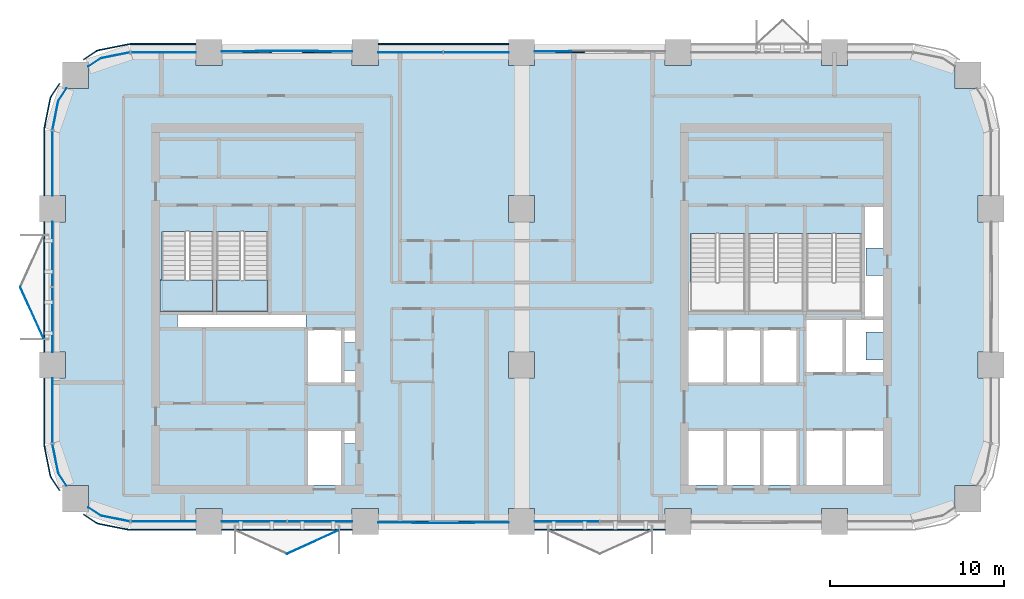
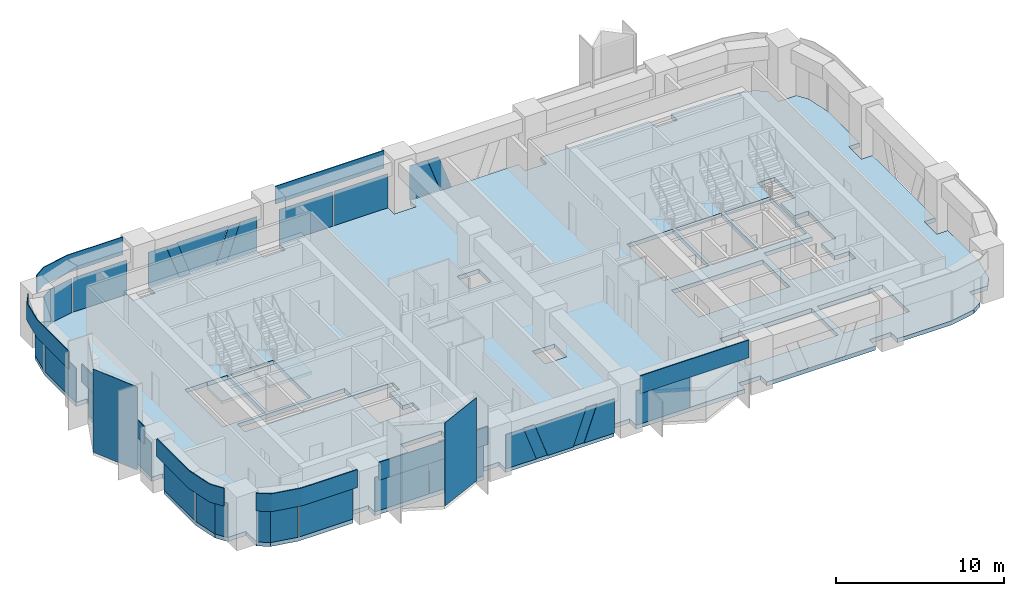
# One storey, part 6 of 14: 37 plates, 3 slabs, 13 elements without a shape of their own.
"""IFC4 building model written with IfcOpenShell, lengths in metres."""

from ifc_helpers import new_model, si_unit, direction, frame, origin, origin_2d, place, context, subcontext, project, spatial, polyline, rectangle, outline, extrude, material, layer, layer_set, type_object, element, aggregate, save


model = new_model("IFC4")

# Units and contexts
model_context = context("Model", 3, precision=1e-05, world=origin(), true_north=direction((0.0, 1.0)))
body_context = subcontext(model_context, "Body", "Model", "MODEL_VIEW")
ifc_project = project(units=[si_unit("LENGTHUNIT", "METRE"), si_unit("AREAUNIT", "SQUARE_METRE"), si_unit("VOLUMEUNIT", "CUBIC_METRE"), si_unit("PLANEANGLEUNIT", "RADIAN"), si_unit("MASSUNIT", "GRAM", prefix="KILO")], contexts=[model_context])

# Site, building, storey
site_placement = place(None, origin())
site = spatial("IfcSite", under=ifc_project, at=site_placement, CompositionType="ELEMENT")
building_placement = place(site_placement, origin())
building = spatial("IfcBuilding", under=site, at=building_placement, Name="Tessera Arch", CompositionType="ELEMENT")
storey_placement = place(building_placement, frame((0.0, 0.0, 142.699951171875)))
storey = spatial("IfcBuildingStorey", under=building, at=storey_placement, Name="L33", CompositionType="ELEMENT", Elevation=142.699951171875)

# Curtain wall, plates
ifc_material_1 = material(Name="CW1 curtain wall")
curtain_wall_type_1 = type_object("IfcCurtainWallType", Name="CW1 curtain wall", PredefinedType="NOTDEFINED", material=ifc_material_1)
curtain_wall_1_placement = place(storey_placement, origin())
curtain_wall_1 = element("IfcCurtainWall", 1, at=curtain_wall_1_placement, inside=storey, type_object=curtain_wall_type_1, Name="CW1 curtain wall N54.0/3 L33", PredefinedType="NOTDEFINED")
ifc_material_2 = material(Name="Clear low-e glass", Category="glass")
ifc_material_3 = material(Name="Clear low-e glass", Category="glass")
ifc_layer_1 = layer(ifc_material_3, 0.028076171875)
ifc_layer_set_1 = layer_set([ifc_layer_1], Name="CW1 glass panel")
plate_type_1 = type_object("IfcPlateType", Name="CW1 glass panel", PredefinedType="CURTAIN_PANEL", material=ifc_layer_set_1)
plate_1_placement = place(storey_placement, frame((24.389892578125, 54.0, 0.0), z_axis=(0.0, 0.0, 1.0), x_axis=(-1.0, 0.0, 0.0)))
plate_1 = element("IfcPlate", 2, at=plate_1_placement, type_object=plate_type_1, material=ifc_material_2, Name="CW1 glass panel N54.0/3 1.1.1", PredefinedType="CURTAIN_PANEL", context=body_context, shape_type="SweptSolid", body=[
    extrude(rectangle(XDim=3.719970703125, YDim=0.028076171875, at=origin_2d()), origin(), (0.0, 0.0, 1.0), 2.5),
])
plate_2_placement = place(storey_placement, frame((20.610107421875, 54.0, 0.0), z_axis=(0.0, 0.0, 1.0), x_axis=(-1.0, 0.0, 0.0)))
plate_2 = element("IfcPlate", 3, at=plate_2_placement, type_object=plate_type_1, material=ifc_material_2, Name="CW1 glass panel N54.0/3 1.2.1", PredefinedType="CURTAIN_PANEL", context=body_context, shape_type="SweptSolid", body=[
    extrude(rectangle(XDim=3.719970703125, YDim=0.028076171875, at=origin_2d()), origin(), (0.0, 0.0, 1.0), 2.5),
])

curtain_wall_2_placement = place(storey_placement, origin())
curtain_wall_2 = element("IfcCurtainWall", 4, at=curtain_wall_2_placement, inside=storey, type_object=curtain_wall_type_1, Name="CW1 curtain wall W0.27/1 L33", PredefinedType="NOTDEFINED")
plate_3_placement = place(storey_placement, frame((0.0, 42.389892578125, 0.0), z_axis=(0.0, 0.0, 1.0), x_axis=(0.0, -1.0, 0.0)))
plate_3 = element("IfcPlate", 5, at=plate_3_placement, type_object=plate_type_1, material=ifc_material_2, Name="CW1 glass panel W0.27/1 1.1.1", PredefinedType="CURTAIN_PANEL", context=body_context, shape_type="SweptSolid", body=[
    extrude(rectangle(XDim=3.719970703125, YDim=0.028076171875, at=origin_2d()), origin(), (0.0, 0.0, 1.0), 2.5),
])
plate_4_placement = place(storey_placement, frame((0.0, 38.610107421875, 0.0), z_axis=(0.0, 0.0, 1.0), x_axis=(0.0, -1.0, 0.0)))
plate_4 = element("IfcPlate", 6, at=plate_4_placement, type_object=plate_type_1, material=ifc_material_2, Name="CW1 glass panel W0.27/1 1.2.1", PredefinedType="CURTAIN_PANEL", context=body_context, shape_type="SweptSolid", body=[
    extrude(rectangle(XDim=3.719970703125, YDim=0.028076171875, at=origin_2d()), origin(), (0.0, 0.0, 1.0), 2.5),
])

curtain_wall_3_placement = place(storey_placement, origin())
curtain_wall_3 = element("IfcCurtainWall", 7, at=curtain_wall_3_placement, inside=storey, type_object=curtain_wall_type_1, Name="CW1 curtain wall S27.0/1 L33", PredefinedType="NOTDEFINED")
plate_5_placement = place(storey_placement, frame((11.610107421875, 27.0, 0.0), z_axis=(0.0, 0.0, 1.0), x_axis=(1.0, 0.0, 0.0)))
plate_5 = element("IfcPlate", 8, at=plate_5_placement, type_object=plate_type_1, material=ifc_material_2, Name="CW1 glass panel S27.0/1 1.1.1", PredefinedType="CURTAIN_PANEL", context=body_context, shape_type="SweptSolid", body=[
    extrude(rectangle(XDim=3.719970703125, YDim=0.028076171875, at=origin_2d()), origin(), (0.0, 0.0, 1.0), 2.5),
])
plate_6_placement = place(storey_placement, frame((15.389892578125, 27.0, 0.0), z_axis=(0.0, 0.0, 1.0), x_axis=(1.0, 0.0, 0.0)))
plate_6 = element("IfcPlate", 9, at=plate_6_placement, type_object=plate_type_1, material=ifc_material_2, Name="CW1 glass panel S27.0/1 1.2.1", PredefinedType="CURTAIN_PANEL", context=body_context, shape_type="SweptSolid", body=[
    extrude(rectangle(XDim=3.719970703125, YDim=0.028076171875, at=origin_2d()), origin(), (0.0, 0.0, 1.0), 2.5),
])

# Curtain wall, plate
curtain_wall_4_placement = place(storey_placement, origin())
curtain_wall_4 = element("IfcCurtainWall", 10, at=curtain_wall_4_placement, inside=storey, type_object=curtain_wall_type_1, Name="CW1 curtain wall S27.0/3 L33", PredefinedType="NOTDEFINED")
plate_7_placement = place(storey_placement, frame((29.610107421875, 27.0, 0.0), z_axis=(0.0, 0.0, 1.0), x_axis=(1.0, 0.0, 0.0)))
plate_7 = element("IfcPlate", 11, at=plate_7_placement, type_object=plate_type_1, material=ifc_material_2, Name="CW1 glass panel S27.0/3 1.1.1", PredefinedType="CURTAIN_PANEL", context=body_context, shape_type="SweptSolid", body=[
    extrude(rectangle(XDim=3.719970703125, YDim=0.028076171875, at=origin_2d()), origin(), (0.0, 0.0, 1.0), 2.5),
])

# Plate
ifc_material_4 = material(Name="Pale anodised aluminium panel", Category="aluminium")
ifc_layer_2 = layer(ifc_material_4, 0.06005859375)
ifc_layer_set_2 = layer_set([ifc_layer_2], Name="CW1 spandrel panel")
plate_type_2 = type_object("IfcPlateType", Name="CW1 spandrel panel", PredefinedType="CURTAIN_PANEL", material=ifc_layer_set_2)
plate_8_placement = place(storey_placement, frame((22.5, 54.47998046875, 2.60009765625), z_axis=(0.0, 0.0, 1.0), x_axis=(-1.0, 0.0, 0.0)))
plate_8 = element("IfcPlate", 12, at=plate_8_placement, type_object=plate_type_2, Name="CW1 spandrel panel N54.0/3", PredefinedType="CURTAIN_PANEL", context=body_context, shape_type="SweptSolid", body=[
    extrude(rectangle(XDim=7.5, YDim=0.06005859375, at=origin_2d()), origin(), (0.0, 0.0, 1.0), 1.300048828125),
])

aggregate(curtain_wall_1, [plate_1, plate_2, plate_8])

plate_9_placement = place(storey_placement, frame((-0.47998046875, 40.5, 2.60009765625), z_axis=(0.0, 0.0, 1.0), x_axis=(0.0, -1.0, 0.0)))
plate_9 = element("IfcPlate", 13, at=plate_9_placement, type_object=plate_type_2, Name="CW1 spandrel panel W0.27/1", PredefinedType="CURTAIN_PANEL", context=body_context, shape_type="SweptSolid", body=[
    extrude(rectangle(XDim=7.5, YDim=0.06005859375, at=origin_2d()), origin(), (0.0, 0.0, 1.0), 1.300048828125),
])

aggregate(curtain_wall_2, [plate_3, plate_4, plate_9])

plate_10_placement = place(storey_placement, frame((13.5, 26.52001953125, 2.60009765625), z_axis=(0.0, 0.0, 1.0), x_axis=(1.0, 0.0, 0.0)))
plate_10 = element("IfcPlate", 14, at=plate_10_placement, type_object=plate_type_2, Name="CW1 spandrel panel S27.0/1", PredefinedType="CURTAIN_PANEL", context=body_context, shape_type="SweptSolid", body=[
    extrude(rectangle(XDim=7.5, YDim=0.06005859375, at=origin_2d()), origin(), (0.0, 0.0, 1.0), 1.300048828125),
])

aggregate(curtain_wall_3, [plate_5, plate_6, plate_10])

plate_11_placement = place(storey_placement, frame((31.5, 26.52001953125, 2.60009765625), z_axis=(0.0, 0.0, 1.0), x_axis=(1.0, 0.0, 0.0)))
plate_11 = element("IfcPlate", 15, at=plate_11_placement, type_object=plate_type_2, Name="CW1 spandrel panel S27.0/3", PredefinedType="CURTAIN_PANEL", context=body_context, shape_type="SweptSolid", body=[
    extrude(rectangle(XDim=7.5, YDim=0.06005859375, at=origin_2d()), origin(), (0.0, 0.0, 1.0), 1.300048828125),
])

aggregate(curtain_wall_4, [plate_7, plate_11])

# Curtain wall, plates
ifc_material_5 = material(Name="CW2 curtain wall")
curtain_wall_type_2 = type_object("IfcCurtainWallType", Name="CW2 curtain wall", PredefinedType="NOTDEFINED", material=ifc_material_5)
curtain_wall_5_placement = place(storey_placement, origin())
curtain_wall_5 = element("IfcCurtainWall", 16, at=curtain_wall_5_placement, inside=storey, type_object=curtain_wall_type_2, Name="CW2 curtain wall N54.0/5 L33", PredefinedType="NOTDEFINED")
ifc_material_6 = material(Name="Clear low-e glass", Category="glass")
ifc_layer_3 = layer(ifc_material_6, 0.028076171875)
ifc_layer_set_3 = layer_set([ifc_layer_3], Name="CW2 glass panel")
plate_type_3 = type_object("IfcPlateType", Name="CW2 glass panel", PredefinedType="CURTAIN_PANEL", material=ifc_layer_set_3)
plate_12_placement = place(storey_placement, frame((6.39501953125, 54.0, 0.0), z_axis=(0.0, 0.0, 1.0), x_axis=(-1.0, 0.0, 0.0)))
plate_12 = element("IfcPlate", 17, at=plate_12_placement, type_object=plate_type_3, material=ifc_material_2, Name="CW2 glass panel N54.0/5 1.1", PredefinedType="CURTAIN_PANEL", context=body_context, shape_type="SweptSolid", body=[
    extrude(rectangle(XDim=3.7099609375, YDim=0.028076171875, at=origin_2d()), origin(), (0.0, 0.0, 1.0), 2.5),
])
plate_13_placement = place(storey_placement, origin())
plate_13 = element("IfcPlate", 18, at=plate_13_placement, type_object=plate_type_3, material=ifc_material_2, Name="CW2 curved glass panel N54.0/5 2.1", PredefinedType="CURTAIN_PANEL", context=body_context, shape_type="SweptSolid", body=[
    extrude(outline(polyline([(2.783447265625, 53.644287109375), (4.46337890625, 53.978515625), (4.4580078125, 54.005859375), (2.7724609375, 53.670654296875), (2.060302734375, 53.19482421875), (2.07568359375, 53.17138671875), (2.783447265625, 53.644287109375)])), origin(), (0.0, 0.0, 1.0), 2.5),
])

curtain_wall_6_placement = place(storey_placement, origin())
curtain_wall_6 = element("IfcCurtainWall", 19, at=curtain_wall_6_placement, inside=storey, type_object=curtain_wall_type_2, Name="CW2 curtain wall W0.27/0 L33", PredefinedType="NOTDEFINED")
plate_14_placement = place(storey_placement, frame((0.0, 47.60498046875, 0.0), z_axis=(0.0, 0.0, 1.0), x_axis=(0.0, -1.0, 0.0)))
plate_14 = element("IfcPlate", 20, at=plate_14_placement, type_object=plate_type_3, material=ifc_material_2, Name="CW2 glass panel W0.27/0 1.1", PredefinedType="CURTAIN_PANEL", context=body_context, shape_type="SweptSolid", body=[
    extrude(rectangle(XDim=3.7099609375, YDim=0.028076171875, at=origin_2d()), origin(), (0.0, 0.0, 1.0), 2.5),
])
plate_15_placement = place(storey_placement, origin())
plate_15 = element("IfcPlate", 21, at=plate_15_placement, type_object=plate_type_3, material=ifc_material_2, Name="CW2 curved glass panel W0.27/0 2.1", PredefinedType="CURTAIN_PANEL", context=body_context, shape_type="SweptSolid", body=[
    extrude(outline(polyline([(0.355712890625, 51.216552734375), (0.82861328125, 51.92431640625), (0.80517578125, 51.939697265625), (0.329345703125, 51.2275390625), (-0.005859375, 49.5419921875), (0.021484375, 49.53662109375), (0.355712890625, 51.216552734375)])), origin(), (0.0, 0.0, 1.0), 2.5),
])

curtain_wall_7_placement = place(storey_placement, origin())
curtain_wall_7 = element("IfcCurtainWall", 22, at=curtain_wall_7_placement, inside=storey, type_object=curtain_wall_type_2, Name="CW2 curtain wall W0.27/2 L33", PredefinedType="NOTDEFINED")
plate_16_placement = place(storey_placement, frame((0.0, 33.39501953125, 0.0), z_axis=(0.0, 0.0, 1.0), x_axis=(0.0, -1.0, 0.0)))
plate_16 = element("IfcPlate", 23, at=plate_16_placement, type_object=plate_type_3, material=ifc_material_2, Name="CW2 glass panel W0.27/2 1.1", PredefinedType="CURTAIN_PANEL", context=body_context, shape_type="SweptSolid", body=[
    extrude(rectangle(XDim=3.7099609375, YDim=0.028076171875, at=origin_2d()), origin(), (0.0, 0.0, 1.0), 2.5),
])
plate_17_placement = place(storey_placement, origin())
plate_17 = element("IfcPlate", 24, at=plate_17_placement, type_object=plate_type_3, material=ifc_material_2, Name="CW2 curved glass panel W0.27/2 2.1", PredefinedType="CURTAIN_PANEL", context=body_context, shape_type="SweptSolid", body=[
    extrude(outline(polyline([(0.355712890625, 29.783447265625), (0.021484375, 31.46337890625), (-0.005859375, 31.4580078125), (0.329345703125, 29.7724609375), (0.80517578125, 29.060302734375), (0.82861328125, 29.07568359375), (0.355712890625, 29.783447265625)])), origin(), (0.0, 0.0, 1.0), 2.5),
])

curtain_wall_8_placement = place(storey_placement, origin())
curtain_wall_8 = element("IfcCurtainWall", 25, at=curtain_wall_8_placement, inside=storey, type_object=curtain_wall_type_2, Name="CW2 curtain wall S27.0/0 L33", PredefinedType="NOTDEFINED")
plate_18_placement = place(storey_placement, frame((6.39501953125, 27.0, 0.0), z_axis=(0.0, 0.0, 1.0), x_axis=(1.0, 0.0, 0.0)))
plate_18 = element("IfcPlate", 26, at=plate_18_placement, type_object=plate_type_3, material=ifc_material_2, Name="CW2 glass panel S27.0/0 1.1", PredefinedType="CURTAIN_PANEL", context=body_context, shape_type="SweptSolid", body=[
    extrude(rectangle(XDim=3.7099609375, YDim=0.028076171875, at=origin_2d()), origin(), (0.0, 0.0, 1.0), 2.5),
])
plate_19_placement = place(storey_placement, origin())
plate_19 = element("IfcPlate", 27, at=plate_19_placement, type_object=plate_type_3, material=ifc_material_2, Name="CW2 curved glass panel S27.0/0 2.1", PredefinedType="CURTAIN_PANEL", context=body_context, shape_type="SweptSolid", body=[
    extrude(outline(polyline([(2.783447265625, 27.355712890625), (2.07568359375, 27.82861328125), (2.060302734375, 27.80517578125), (2.7724609375, 27.329345703125), (4.4580078125, 26.994140625), (4.46337890625, 27.021484375), (2.783447265625, 27.355712890625)])), origin(), (0.0, 0.0, 1.0), 2.5),
])

# Plate
ifc_material_7 = material(Name="Pale anodised aluminium panel", Category="aluminium")
ifc_layer_4 = layer(ifc_material_7, 0.06005859375)
ifc_layer_set_4 = layer_set([ifc_layer_4], Name="CW2 spandrel panel")
plate_type_4 = type_object("IfcPlateType", Name="CW2 spandrel panel", PredefinedType="CURTAIN_PANEL", material=ifc_layer_set_4)
plate_20_placement = place(storey_placement, frame((0.0, 0.0, 2.60009765625)))
plate_20 = element("IfcPlate", 28, at=plate_20_placement, type_object=plate_type_4, Name="CW2 spandrel panel N54.0/5", PredefinedType="CURTAIN_PANEL", context=body_context, shape_type="SweptSolid", body=[
    extrude(outline(polyline([(4.500732421875, 54.449951171875), (8.25, 54.449951171875), (8.25, 54.510009765625), (4.499267578125, 54.510009765625), (4.449951171875, 54.507568359375), (4.401123046875, 54.500244140625), (2.677734375, 54.157470703125), (2.6298828125, 54.1455078125), (2.582763671875, 54.128662109375), (2.537353515625, 54.107421875), (2.4951171875, 54.08203125), (1.78466796875, 53.607177734375), (1.81787109375, 53.55712890625), (2.52734375, 54.03125), (2.565673828125, 54.054443359375), (2.605712890625, 54.0732421875), (2.647216796875, 54.088134765625), (2.69091796875, 54.09912109375), (4.411376953125, 54.441162109375), (4.455810546875, 54.44775390625), (4.500732421875, 54.449951171875)])), origin(), (0.0, 0.0, 1.0), 1.300048828125),
])

aggregate(curtain_wall_5, [plate_12, plate_13, plate_20])

plate_21_placement = place(storey_placement, frame((0.0, 0.0, 2.60009765625)))
plate_21 = element("IfcPlate", 29, at=plate_21_placement, type_object=plate_type_4, Name="CW2 spandrel panel W0.27/0", PredefinedType="CURTAIN_PANEL", context=body_context, shape_type="SweptSolid", body=[
    extrude(outline(polyline([(-0.03125, 51.47265625), (0.44287109375, 52.18212890625), (0.392822265625, 52.21533203125), (-0.08203125, 51.5048828125), (-0.107421875, 51.462646484375), (-0.128662109375, 51.417236328125), (-0.1455078125, 51.3701171875), (-0.157470703125, 51.322265625), (-0.500244140625, 49.598876953125), (-0.507568359375, 49.550048828125), (-0.510009765625, 49.500732421875), (-0.510009765625, 45.75), (-0.449951171875, 45.75), (-0.449951171875, 49.499267578125), (-0.44775390625, 49.544189453125), (-0.441162109375, 49.588623046875), (-0.09912109375, 51.30908203125), (-0.088134765625, 51.352783203125), (-0.0732421875, 51.394287109375), (-0.054443359375, 51.434326171875), (-0.03125, 51.47265625)])), origin(), (0.0, 0.0, 1.0), 1.300048828125),
])

aggregate(curtain_wall_6, [plate_14, plate_15, plate_21])

plate_22_placement = place(storey_placement, frame((0.0, 0.0, 2.60009765625)))
plate_22 = element("IfcPlate", 30, at=plate_22_placement, type_object=plate_type_4, Name="CW2 spandrel panel W0.27/2", PredefinedType="CURTAIN_PANEL", context=body_context, shape_type="SweptSolid", body=[
    extrude(outline(polyline([(-0.449951171875, 31.500732421875), (-0.449951171875, 35.25), (-0.510009765625, 35.25), (-0.510009765625, 31.499267578125), (-0.507568359375, 31.449951171875), (-0.500244140625, 31.401123046875), (-0.157470703125, 29.677734375), (-0.1455078125, 29.6298828125), (-0.128662109375, 29.582763671875), (-0.107421875, 29.537353515625), (-0.08203125, 29.4951171875), (0.392822265625, 28.78466796875), (0.44287109375, 28.81787109375), (-0.03125, 29.52734375), (-0.054443359375, 29.565673828125), (-0.0732421875, 29.605712890625), (-0.088134765625, 29.647216796875), (-0.09912109375, 29.69091796875), (-0.441162109375, 31.411376953125), (-0.44775390625, 31.455810546875), (-0.449951171875, 31.500732421875)])), origin(), (0.0, 0.0, 1.0), 1.300048828125),
])

aggregate(curtain_wall_7, [plate_16, plate_17, plate_22])

plate_23_placement = place(storey_placement, frame((0.0, 0.0, 2.60009765625)))
plate_23 = element("IfcPlate", 31, at=plate_23_placement, type_object=plate_type_4, Name="CW2 spandrel panel S27.0/0", PredefinedType="CURTAIN_PANEL", context=body_context, shape_type="SweptSolid", body=[
    extrude(outline(polyline([(2.52734375, 26.96875), (1.81787109375, 27.44287109375), (1.78466796875, 27.392822265625), (2.4951171875, 26.91796875), (2.537353515625, 26.892578125), (2.582763671875, 26.871337890625), (2.6298828125, 26.8544921875), (2.677734375, 26.842529296875), (4.401123046875, 26.499755859375), (4.449951171875, 26.492431640625), (4.499267578125, 26.489990234375), (8.25, 26.489990234375), (8.25, 26.550048828125), (4.500732421875, 26.550048828125), (4.455810546875, 26.55224609375), (4.411376953125, 26.558837890625), (2.69091796875, 26.90087890625), (2.647216796875, 26.911865234375), (2.605712890625, 26.9267578125), (2.565673828125, 26.945556640625), (2.52734375, 26.96875)])), origin(), (0.0, 0.0, 1.0), 1.300048828125),
])

aggregate(curtain_wall_8, [plate_18, plate_19, plate_23])

# Curtain wall, plate
ifc_material_8 = material(Name="CW3 curtain wall")
curtain_wall_type_3 = type_object("IfcCurtainWallType", Name="CW3 curtain wall", PredefinedType="NOTDEFINED", material=ifc_material_8)
curtain_wall_9_placement = place(storey_placement, origin())
curtain_wall_9 = element("IfcCurtainWall", 32, at=curtain_wall_9_placement, inside=storey, type_object=curtain_wall_type_3, Name="CW3 curtain wall N54.0/2 L33", PredefinedType="NOTDEFINED")
ifc_material_9 = material(Name="Pale anodised aluminium panel", Category="aluminium")
ifc_layer_5 = layer(ifc_material_9, 0.06005859375)
ifc_layer_set_5 = layer_set([ifc_layer_5], Name="CW3 diagonal panel")
plate_type_5 = type_object("IfcPlateType", Name="CW3 diagonal panel", PredefinedType="CURTAIN_PANEL", material=ifc_layer_set_5)
plate_24_placement = place(storey_placement, frame((28.966796875, 54.030029296875, 2.5), z_axis=(0.0, 1.0, 0.0), x_axis=(1.0, 0.0, 0.0)))
plate_24 = element("IfcPlate", 33, at=plate_24_placement, type_object=plate_type_5, Name="CW3 diagonal panel N54.0/2 1", PredefinedType="CURTAIN_PANEL", context=body_context, shape_type="SweptSolid", body=[
    extrude(outline(polyline([(0.0, 0.0), (0.765625, 0.0), (1.654052734375, 2.5), (0.888671875, 2.5), (0.0, 0.0)])), origin(), (0.0, 0.0, -1.0), 0.06005859375),
])

# Curtain wall, plates
curtain_wall_10_placement = place(storey_placement, origin())
curtain_wall_10 = element("IfcCurtainWall", 34, at=curtain_wall_10_placement, inside=storey, type_object=curtain_wall_type_3, Name="CW3 curtain wall N54.0/4 L33", PredefinedType="NOTDEFINED")
plate_25_placement = place(storey_placement, frame((10.966796875, 54.030029296875, 2.5), z_axis=(0.0, 1.0, 0.0), x_axis=(1.0, 0.0, 0.0)))
plate_25 = element("IfcPlate", 35, at=plate_25_placement, type_object=plate_type_5, Name="CW3 diagonal panel N54.0/4 1", PredefinedType="CURTAIN_PANEL", context=body_context, shape_type="SweptSolid", body=[
    extrude(outline(polyline([(0.0, 0.0), (0.765625, 0.0), (1.654052734375, 2.5), (0.888671875, 2.5), (0.0, 0.0)])), origin(), (0.0, 0.0, -1.0), 0.06005859375),
])
plate_26_placement = place(storey_placement, frame((15.267578125, 54.030029296875, 2.5), z_axis=(0.0, 1.0, 0.0), x_axis=(1.0, 0.0, 0.0)))
plate_26 = element("IfcPlate", 36, at=plate_26_placement, type_object=plate_type_5, Name="CW3 diagonal panel N54.0/4 2", PredefinedType="CURTAIN_PANEL", context=body_context, shape_type="SweptSolid", body=[
    extrude(outline(polyline([(0.0, 0.0), (0.765625, 0.0), (-0.123046875, 2.5), (-0.888427734375, 2.5), (0.0, 0.0)])), origin(), (0.0, 0.0, -1.0), 0.06005859375),
])

curtain_wall_11_placement = place(storey_placement, origin())
curtain_wall_11 = element("IfcCurtainWall", 37, at=curtain_wall_11_placement, inside=storey, type_object=curtain_wall_type_3, Name="CW3 curtain wall S27.0/2 L33", PredefinedType="NOTDEFINED")
plate_27_placement = place(storey_placement, frame((25.033203125, 26.969970703125, 2.5), z_axis=(0.0, -1.0, 0.0), x_axis=(-1.0, 0.0, 0.0)))
plate_27 = element("IfcPlate", 38, at=plate_27_placement, type_object=plate_type_5, Name="CW3 diagonal panel S27.0/2 1", PredefinedType="CURTAIN_PANEL", context=body_context, shape_type="SweptSolid", body=[
    extrude(outline(polyline([(0.0, 0.0), (0.765625, 0.0), (1.654052734375, 2.5), (0.888671875, 2.5), (0.0, 0.0)])), origin(), (0.0, 0.0, -1.0), 0.06005859375),
])
plate_28_placement = place(storey_placement, frame((20.732421875, 26.969970703125, 2.5), z_axis=(0.0, -1.0, 0.0), x_axis=(-1.0, 0.0, 0.0)))
plate_28 = element("IfcPlate", 39, at=plate_28_placement, type_object=plate_type_5, Name="CW3 diagonal panel S27.0/2 2", PredefinedType="CURTAIN_PANEL", context=body_context, shape_type="SweptSolid", body=[
    extrude(outline(polyline([(0.0, 0.0), (0.765625, 0.0), (-0.123046875, 2.5), (-0.888427734375, 2.5), (0.0, 0.0)])), origin(), (0.0, 0.0, -1.0), 0.06005859375),
])

# Plate
ifc_material_10 = material(Name="Clear low-e glass", Category="glass")
ifc_layer_6 = layer(ifc_material_10, 0.028076171875)
ifc_layer_set_6 = layer_set([ifc_layer_6], Name="CW3 glass panel")
plate_type_6 = type_object("IfcPlateType", Name="CW3 glass panel", PredefinedType="CURTAIN_PANEL", material=ifc_layer_set_6)
plate_29_placement = place(storey_placement, frame((27.75, 54.05810546875, 2.5), z_axis=(0.0, 1.0, 0.0), x_axis=(1.0, 0.0, 0.0)))
plate_29 = element("IfcPlate", 40, at=plate_29_placement, type_object=plate_type_6, material=ifc_material_2, Name="CW3 triangulated glass panel N54.0/2 3", PredefinedType="CURTAIN_PANEL", context=body_context, shape_type="SweptSolid", body=[
    extrude(outline(polyline([(0.0, 0.0), (1.216796875, 0.0), (2.10546875, 2.5), (0.0, 2.5), (0.0, 0.0)])), origin(), (0.0, 0.0, -1.0), 0.028076171875),
])

aggregate(curtain_wall_9, [plate_29, plate_24])

plate_30_placement = place(storey_placement, frame((17.25, 54.05810546875, 0.0), z_axis=(0.0, 1.0, 0.0), x_axis=(-1.0, 0.0, 0.0)))
plate_30 = element("IfcPlate", 41, at=plate_30_placement, type_object=plate_type_6, material=ifc_material_2, Name="CW3 triangulated glass panel N54.0/4 1", PredefinedType="CURTAIN_PANEL", context=body_context, shape_type="SweptSolid", body=[
    extrude(outline(polyline([(0.0, 0.0), (2.10546875, 0.0), (1.216796875, 2.5), (0.0, 2.5), (0.0, 0.0)])), origin(), (0.0, 0.0, -1.0), 0.028076171875),
])

plate_31_placement = place(storey_placement, frame((11.732421875, 54.0859375, 2.5), z_axis=(0.0, 1.0, 0.0), x_axis=(1.0, 0.0, 0.0)))
plate_31 = element("IfcPlate", 42, at=plate_31_placement, type_object=plate_type_6, material=ifc_material_2, Name="CW3 triangulated glass panel N54.0/4 2", PredefinedType="CURTAIN_PANEL", context=body_context, shape_type="SweptSolid", body=[
    extrude(outline(polyline([(0.0, 0.0), (3.53515625, 0.0), (2.646728515625, 2.5), (0.888427734375, 2.5), (0.0, 0.0)])), origin(), (0.0, 0.0, -1.0), 0.028076171875),
])

plate_32_placement = place(storey_placement, frame((9.75, 54.05810546875, 2.5), z_axis=(0.0, 1.0, 0.0), x_axis=(1.0, 0.0, 0.0)))
plate_32 = element("IfcPlate", 43, at=plate_32_placement, type_object=plate_type_6, material=ifc_material_2, Name="CW3 triangulated glass panel N54.0/4 3", PredefinedType="CURTAIN_PANEL", context=body_context, shape_type="SweptSolid", body=[
    extrude(outline(polyline([(0.0, 0.0), (1.216796875, 0.0), (2.10546875, 2.5), (0.0, 2.5), (0.0, 0.0)])), origin(), (0.0, 0.0, -1.0), 0.028076171875),
])

aggregate(curtain_wall_10, [plate_30, plate_31, plate_32, plate_25, plate_26])

plate_33_placement = place(storey_placement, frame((18.75, 26.94189453125, 0.0), z_axis=(0.0, -1.0, 0.0), x_axis=(1.0, 0.0, 0.0)))
plate_33 = element("IfcPlate", 44, at=plate_33_placement, type_object=plate_type_6, material=ifc_material_2, Name="CW3 triangulated glass panel S27.0/2 1", PredefinedType="CURTAIN_PANEL", context=body_context, shape_type="SweptSolid", body=[
    extrude(outline(polyline([(0.0, 0.0), (2.10546875, 0.0), (1.216796875, 2.5), (0.0, 2.5), (0.0, 0.0)])), origin(), (0.0, 0.0, -1.0), 0.028076171875),
])

plate_34_placement = place(storey_placement, frame((24.267578125, 26.9140625, 2.5), z_axis=(0.0, -1.0, 0.0), x_axis=(-1.0, 0.0, 0.0)))
plate_34 = element("IfcPlate", 45, at=plate_34_placement, type_object=plate_type_6, material=ifc_material_2, Name="CW3 triangulated glass panel S27.0/2 2", PredefinedType="CURTAIN_PANEL", context=body_context, shape_type="SweptSolid", body=[
    extrude(outline(polyline([(0.0, 0.0), (3.53515625, 0.0), (2.646728515625, 2.5), (0.888427734375, 2.5), (0.0, 0.0)])), origin(), (0.0, 0.0, -1.0), 0.028076171875),
])

plate_35_placement = place(storey_placement, frame((26.25, 26.94189453125, 2.5), z_axis=(0.0, -1.0, 0.0), x_axis=(-1.0, 0.0, 0.0)))
plate_35 = element("IfcPlate", 46, at=plate_35_placement, type_object=plate_type_6, material=ifc_material_2, Name="CW3 triangulated glass panel S27.0/2 3", PredefinedType="CURTAIN_PANEL", context=body_context, shape_type="SweptSolid", body=[
    extrude(outline(polyline([(0.0, 0.0), (1.216796875, 0.0), (2.10546875, 2.5), (0.0, 2.5), (0.0, 0.0)])), origin(), (0.0, 0.0, -1.0), 0.028076171875),
])

aggregate(curtain_wall_11, [plate_33, plate_34, plate_35, plate_27, plate_28])

# Slab
ifc_material_11 = material(Name="Concrete C40/50", Category="concrete")
ifc_layer_7 = layer(ifc_material_11, 0.300048828125)
ifc_layer_set_7 = layer_set([ifc_layer_7], Name="Floor slab 300 Concrete C40/50")
slab_type_1 = type_object("IfcSlabType", Name="Floor slab 300 Concrete C40/50", PredefinedType="FLOOR", material=ifc_layer_set_7)
slab_1_placement = place(storey_placement, frame((0.0, 0.0, -0.300048828125)))
element("IfcSlab", 47, at=slab_1_placement, inside=storey, type_object=slab_type_1, Name="Floor slab L33 1", PredefinedType="FLOOR", context=body_context, shape_type="SweptSolid", body=[
    extrude(outline(polyline([(54.0, 31.5), (53.657470703125, 29.77783203125), (53.18310546875, 29.068115234375), (51.931884765625, 29.068115234375), (51.931884765625, 27.81689453125), (51.22216796875, 27.342529296875), (49.5, 27.0), (45.75, 27.0), (45.75, 27.75), (44.25, 27.75), (44.25, 27.0), (36.75, 27.0), (36.75, 27.75), (35.25, 27.75), (35.25, 27.0), (27.75, 27.0), (27.75, 27.75), (26.25, 27.75), (26.25, 27.0), (18.75, 27.0), (18.75, 27.75), (17.25, 27.75), (17.25, 27.0), (9.75, 27.0), (9.75, 27.75), (8.25, 27.75), (8.25, 27.0), (4.5, 27.0), (2.77783203125, 27.342529296875), (2.068115234375, 27.81689453125), (2.068115234375, 29.068115234375), (0.81689453125, 29.068115234375), (0.342529296875, 29.77783203125), (0.0, 31.5), (0.0, 35.25), (0.75, 35.25), (0.75, 36.75), (0.0, 36.75), (0.0, 44.25), (0.75, 44.25), (0.75, 45.75), (0.0, 45.75), (0.0, 49.5), (0.342529296875, 51.22216796875), (0.81689453125, 51.931884765625), (2.068115234375, 51.931884765625), (2.068115234375, 53.18310546875), (2.77783203125, 53.657470703125), (4.5, 54.0), (8.25, 54.0), (8.25, 53.25), (9.75, 53.25), (9.75, 54.0), (17.25, 54.0), (17.25, 53.25), (18.75, 53.25), (18.75, 54.0), (26.25, 54.0), (26.25, 53.25), (27.75, 53.25), (27.75, 54.0), (35.25, 54.0), (35.25, 53.25), (36.75, 53.25), (36.75, 54.0), (44.25, 54.0), (44.25, 53.25), (45.75, 53.25), (45.75, 54.0), (49.5, 54.0), (51.22216796875, 53.657470703125), (51.931884765625, 53.18310546875), (51.931884765625, 51.931884765625), (53.18310546875, 51.931884765625), (53.657470703125, 51.22216796875), (54.0, 49.5), (54.0, 45.75), (53.25, 45.75), (53.25, 44.25), (54.0, 44.25), (54.0, 36.75), (53.25, 36.75), (53.25, 35.25), (54.0, 35.25), (54.0, 31.5)]), holes=[polyline([(14.60009765625, 29.10009765625), (16.699951171875, 29.10009765625), (16.699951171875, 31.5), (17.39990234375, 31.5), (17.39990234375, 32.300048828125), (16.699951171875, 32.300048828125), (14.60009765625, 32.300048828125), (14.60009765625, 29.10009765625)]), polyline([(26.25, 36.75), (26.25, 35.25), (27.75, 35.25), (27.75, 36.75), (26.25, 36.75)]), polyline([(17.39990234375, 37.300048828125), (17.39990234375, 38.10009765625), (16.699951171875, 38.10009765625), (14.60498046875, 38.10009765625), (14.60498046875, 38.10498046875), (14.60009765625, 38.10498046875), (14.60009765625, 39.0), (7.199951171875, 39.0), (7.199951171875, 38.10009765625), (14.594970703125, 38.10009765625), (14.594970703125, 38.094970703125), (14.60009765625, 38.094970703125), (14.60009765625, 34.89990234375), (16.699951171875, 34.89990234375), (17.39990234375, 34.89990234375), (17.39990234375, 35.699951171875), (16.699951171875, 35.699951171875), (16.699951171875, 37.300048828125), (17.39990234375, 37.300048828125)]), polyline([(6.300048828125, 43.68994140625), (6.300048828125, 39.199951171875), (9.25, 39.199951171875), (9.25, 43.68994140625), (7.85009765625, 43.68994140625), (7.85009765625, 43.699951171875), (7.699951171875, 43.699951171875), (7.699951171875, 43.68994140625), (6.300048828125, 43.68994140625)]), polyline([(9.449951171875, 39.199951171875), (12.39990234375, 39.199951171875), (12.39990234375, 43.68994140625), (11.0, 43.68994140625), (11.0, 43.699951171875), (10.85009765625, 43.699951171875), (10.85009765625, 43.68994140625), (9.449951171875, 43.68994140625), (9.449951171875, 39.199951171875)]), polyline([(38.699951171875, 29.10009765625), (40.800048828125, 29.10009765625), (42.89990234375, 29.10009765625), (42.89990234375, 32.300048828125), (40.800048828125, 32.300048828125), (38.699951171875, 32.300048828125), (36.60009765625, 32.300048828125), (36.60009765625, 29.10009765625), (38.699951171875, 29.10009765625)]), polyline([(45.550048828125, 32.300048828125), (43.300048828125, 32.300048828125), (43.300048828125, 29.10009765625), (45.550048828125, 29.10009765625), (47.800048828125, 29.10009765625), (47.800048828125, 32.300048828125), (45.550048828125, 32.300048828125)]), polyline([(40.800048828125, 34.89990234375), (42.89990234375, 34.89990234375), (42.89990234375, 38.10009765625), (40.800048828125, 38.10009765625), (38.699951171875, 38.10009765625), (36.60009765625, 38.10009765625), (36.60009765625, 34.89990234375), (38.699951171875, 34.89990234375), (40.800048828125, 34.89990234375)]), polyline([(47.800048828125, 42.75), (47.800048828125, 45.199951171875), (46.64990234375, 45.199951171875), (46.64990234375, 38.699951171875), (45.550048828125, 38.699951171875), (43.300048828125, 38.699951171875), (43.300048828125, 35.5), (45.550048828125, 35.5), (47.800048828125, 35.5), (47.800048828125, 36.300048828125), (46.800048828125, 36.300048828125), (46.800048828125, 37.89990234375), (47.800048828125, 37.89990234375), (47.800048828125, 38.699951171875), (47.800048828125, 41.14990234375), (46.800048828125, 41.14990234375), (46.800048828125, 42.75), (47.800048828125, 42.75)]), polyline([(36.699951171875, 39.199951171875), (39.85009765625, 39.199951171875), (39.85009765625, 43.570068359375), (38.330078125, 43.570068359375), (38.330078125, 43.580078125), (38.219970703125, 43.580078125), (38.219970703125, 43.570068359375), (36.699951171875, 43.570068359375), (36.699951171875, 39.199951171875)]), polyline([(40.050048828125, 39.199951171875), (43.199951171875, 39.199951171875), (43.199951171875, 43.570068359375), (41.679931640625, 43.570068359375), (41.679931640625, 43.580078125), (41.570068359375, 43.580078125), (41.570068359375, 43.570068359375), (40.050048828125, 43.570068359375), (40.050048828125, 39.199951171875)]), polyline([(43.39990234375, 43.570068359375), (43.39990234375, 39.199951171875), (46.550048828125, 39.199951171875), (46.550048828125, 43.570068359375), (45.030029296875, 43.570068359375), (45.030029296875, 43.580078125), (44.919921875, 43.580078125), (44.919921875, 43.570068359375), (43.39990234375, 43.570068359375)]), polyline([(26.25, 45.75), (26.25, 44.25), (27.75, 44.25), (27.75, 45.75), (26.25, 45.75)])]), origin(), (0.0, 0.0, 1.0), 0.300048828125),
])

# Stair, slab
ifc_material_12 = material(Name="Concrete C40/50", Category="concrete")
stair_type = type_object("IfcStairType", Name="Dogleg stair 1400", PredefinedType="HALF_TURN_STAIR", material=ifc_material_12)
stair_1_placement = place(storey_placement, origin())
stair_1 = element("IfcStair", 48, at=stair_1_placement, inside=storey, type_object=stair_type, Name="L33 S2a", PredefinedType="HALF_TURN_STAIR")
ifc_material_13 = material(Name="Concrete C40/50", Category="concrete")
ifc_layer_8 = layer(ifc_material_13, 0.300048828125)
ifc_layer_set_8 = layer_set([ifc_layer_8], Name="Stair landing 300")
slab_type_2 = type_object("IfcSlabType", Name="Stair landing 300", PredefinedType="LANDING", material=ifc_layer_set_8)
slab_2_placement = place(storey_placement, frame((0.0, 0.0, 1.75)))
slab_2 = element("IfcSlab", 49, at=slab_2_placement, type_object=slab_type_2, Name="S2a landing 1", PredefinedType="LANDING", context=body_context, shape_type="SweptSolid", body=[
    extrude(outline(polyline([(6.199951171875, 40.89990234375), (6.199951171875, 39.10009765625), (9.25, 39.10009765625), (9.25, 40.89990234375), (6.199951171875, 40.89990234375)])), origin(), (0.0, 0.0, 1.0), 0.199951171875),
])
aggregate(stair_1, [slab_2])

stair_2_placement = place(storey_placement, origin())
stair_2 = element("IfcStair", 50, at=stair_2_placement, inside=storey, type_object=stair_type, Name="L33 S2b", PredefinedType="HALF_TURN_STAIR")
slab_3_placement = place(storey_placement, frame((0.0, 0.0, 1.75)))
slab_3 = element("IfcSlab", 51, at=slab_3_placement, type_object=slab_type_2, Name="S2b landing 1", PredefinedType="LANDING", context=body_context, shape_type="SweptSolid", body=[
    extrude(outline(polyline([(9.449951171875, 40.89990234375), (9.449951171875, 39.10009765625), (12.39990234375, 39.10009765625), (12.39990234375, 40.89990234375), (9.449951171875, 40.89990234375)])), origin(), (0.0, 0.0, 1.0), 0.199951171875),
])
aggregate(stair_2, [slab_3])

# Plates
ifc_material_14 = material(Name="Clear low-e glass", Category="glass")
ifc_layer_9 = layer(ifc_material_14, 0.028076171875)
ifc_layer_set_9 = layer_set([ifc_layer_9], Name="Window box glass facet")
plate_type_7 = type_object("IfcPlateType", Name="Window box glass facet", PredefinedType="SHEET", material=ifc_layer_set_9)
for number, where, z_axis, x_axis, name in (
    (52, (-1.179931640625, 39.02490234375, 0.219970703125), (0.0, 0.0, 1.0), (-0.413570397858, 0.910472144558, 0.0), "Window box W0.27/1.0 2x2 glass"),
    (53, (14.97509765625, 25.820068359375, 0.219970703125), (0.0, 0.0, 1.0), (-0.910472144558, -0.413570397858, 0.0), "Window box S27.0/1.0 2x2 glass"),
):
    element("IfcPlate", number, at=place(storey_placement, frame(where, z_axis=z_axis, x_axis=x_axis)), inside=storey, type_object=plate_type_7, Name=name, PredefinedType="SHEET", context=body_context, shape_type="SweptSolid", body=[
        extrude(rectangle(XDim=3.239990234375, YDim=0.028076171875, at=origin_2d()), origin(), (0.0, 0.0, 1.0), 6.06005859375),
    ])

save(model, "model.ifc")
